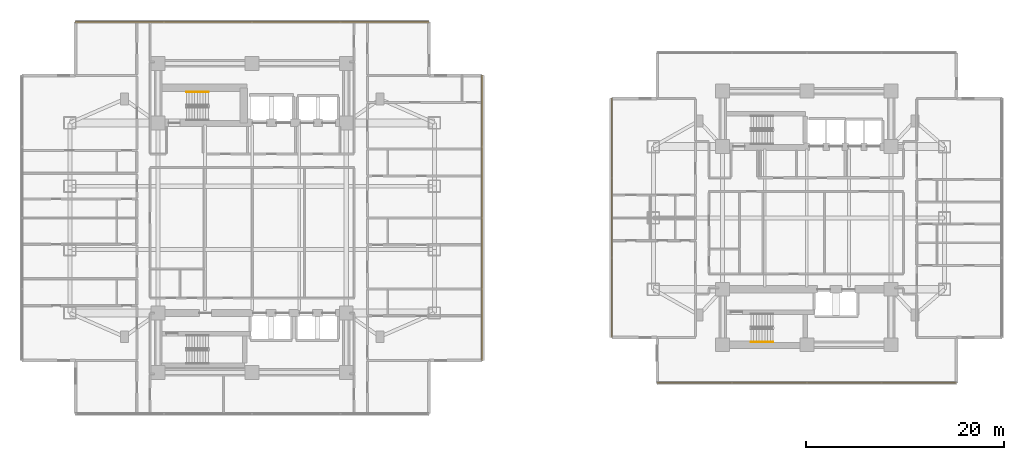
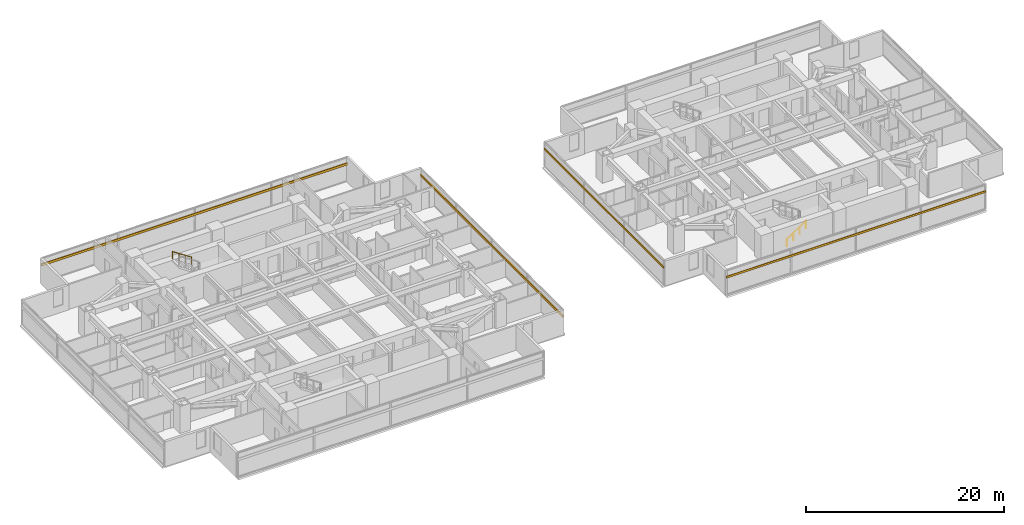
# One storey, part 24 of 26: 4 shading devices, 2 railings.
"""IFC4 building model written with IfcOpenShell, lengths in metres."""

from ifc_helpers import new_model, si_unit, direction, frame, origin, origin_2d, place, context, subcontext, project, spatial, rectangle, circle, extrude, material, material_profile, profile_set, type_object, element, save


model = new_model("IFC4")

# Units and contexts
model_context = context("Model", 3, precision=1e-05, world=origin(), true_north=direction((0.0, 1.0)))
body_context = subcontext(model_context, "Body", "Model", "MODEL_VIEW")
ifc_project = project(units=[si_unit("LENGTHUNIT", "METRE"), si_unit("AREAUNIT", "SQUARE_METRE"), si_unit("VOLUMEUNIT", "CUBIC_METRE"), si_unit("PLANEANGLEUNIT", "RADIAN"), si_unit("MASSUNIT", "GRAM", prefix="KILO")], contexts=[model_context])

# Site, building, storey
site_placement = place(None, origin())
site = spatial("IfcSite", under=ifc_project, at=site_placement, CompositionType="ELEMENT")
building_placement = place(site_placement, origin())
building = spatial("IfcBuilding", under=site, at=building_placement, Name="Mirazonda Arch Towers", CompositionType="ELEMENT")
storey_placement = place(building_placement, frame((0.0, 0.0, 48.800048828125)))
storey = spatial("IfcBuildingStorey", under=building, at=storey_placement, Name="L13", CompositionType="ELEMENT", Elevation=48.800048828125)

# Shading devices
ifc_material_1 = material(Name="Kiln-Fired Architectural Terracotta", Category="masonry")
ifc_material_profile_1 = material_profile(ifc_material_1, rectangle(XDim=0.1201171875, YDim=0.239990234375, at=origin_2d()), Name="TERRA-BAG-120x240")
ifc_profile_set_1 = profile_set([ifc_material_profile_1], Name="Kiln-Fired Architectural Terracotta")
shading_device_type_1 = type_object("IfcShadingDeviceType", Name="BAGUETTE-1", PredefinedType="USERDEFINED", material=ifc_profile_set_1)
shading_device_1_placement = place(storey_placement, frame((91.60400390625, 11.353515625, 2.188720703125), z_axis=(-1.0, 0.0, 0.0), x_axis=(0.0, -1.0, 0.0)))
element("IfcShadingDevice", 1, at=shading_device_1_placement, inside=storey, type_object=shading_device_type_1, Name="L13 Glazed Terracotta Sun-Screen Baguette CW-L13-T2-S", ObjectType="BAGUETTE", PredefinedType="USERDEFINED", context=body_context, shape_type="SweptSolid", body=[
    extrude(rectangle(XDim=0.1201171875, YDim=0.239990234375, at=origin_2d()), origin(), (0.0, 0.0, 1.0), 30.2080078125),
])
shading_device_2_placement = place(storey_placement, frame((56.81591796875, 40.06640625, 2.188720703125), z_axis=(0.0, -1.0, 0.0), x_axis=(1.0, 0.0, 0.0)))
element("IfcShadingDevice", 2, at=shading_device_2_placement, inside=storey, type_object=shading_device_type_1, Name="L13 Glazed Terracotta Sun-Screen Baguette CW-L13-T2-W", ObjectType="BAGUETTE", PredefinedType="USERDEFINED", context=body_context, shape_type="SweptSolid", body=[
    extrude(rectangle(XDim=0.1201171875, YDim=0.239990234375, at=origin_2d()), origin(), (0.0, 0.0, 1.0), 24.1328125),
])
ifc_material_profile_2 = material_profile(ifc_material_1, rectangle(XDim=0.139892578125, YDim=0.280029296875, at=origin_2d()), Name="TERRA-BAG-140x280")
ifc_profile_set_2 = profile_set([ifc_material_profile_2], Name="Kiln-Fired Architectural Terracotta")
shading_device_type_2 = type_object("IfcShadingDeviceType", Name="BAGUETTE-3", PredefinedType="USERDEFINED", material=ifc_profile_set_2)
shading_device_3_placement = place(storey_placement, frame((43.719970703125, 13.615966796875, 2.188720703125), z_axis=(0.0, 1.0, 0.0), x_axis=(-1.0, 0.0, 0.0)))
element("IfcShadingDevice", 3, at=shading_device_3_placement, inside=storey, type_object=shading_device_type_2, Name="L13 Glazed Terracotta Sun-Screen Baguette CW-L13-T1-E", ObjectType="BAGUETTE", PredefinedType="USERDEFINED", context=body_context, shape_type="SweptSolid", body=[
    extrude(rectangle(XDim=0.139892578125, YDim=0.280029296875, at=origin_2d()), origin(), (0.0, 0.0, 1.0), 28.76806640625),
])
shading_device_4_placement = place(storey_placement, frame((2.659912109375, 47.763916015625, 2.188720703125), z_axis=(1.0, 0.0, 0.0), x_axis=(0.0, 1.0, 0.0)))
element("IfcShadingDevice", 4, at=shading_device_4_placement, inside=storey, type_object=shading_device_type_2, Name="L13 Glazed Terracotta Sun-Screen Baguette CW-L13-T1-N", ObjectType="BAGUETTE", PredefinedType="USERDEFINED", context=body_context, shape_type="SweptSolid", body=[
    extrude(rectangle(XDim=0.139892578125, YDim=0.280029296875, at=origin_2d()), origin(), (0.0, 0.0, 1.0), 35.68017578125),
])

# Railings
ifc_material_2 = material(Name="Architectural Brushed Steel S355", Category="steel")
railing_type = type_object("IfcRailingType", Name="HANDRAIL-915", PredefinedType="HANDRAIL", material=ifc_material_2)
railing_1_placement = place(storey_placement, frame((16.090087890625, 40.7099609375, 1.833251953125)))
element("IfcRailing", 5, at=railing_1_placement, inside=storey, type_object=railing_type, Name="L13 ST-T1N stair handrail 2", PredefinedType="HANDRAIL", context=body_context, shape_type="SweptSolid", body=[
    extrude(circle(Radius=0.02392578125, at=origin_2d()), frame((0.0, 0.0, 0.8759765625), z_axis=(-0.836595146698, 0.0, 0.547821650285), x_axis=(0.0, -1.0, 0.0)), (0.0, 0.0, 1.0), 2.677490234375),
    extrude(circle(Radius=0.02099609375, at=origin_2d()), origin(), (0.0, 0.0, 1.0), 0.851806640625),
    extrude(circle(Radius=0.02099609375, at=origin_2d()), frame((-0.74658203125, 0.0, 0.489013671875)), (0.0, 0.0, 1.0), 0.851806640625),
    extrude(circle(Radius=0.02099609375, at=origin_2d()), frame((-1.493408203125, 0.0, 0.977783203125)), (0.0, 0.0, 1.0), 0.851806640625),
    extrude(circle(Radius=0.02099609375, at=origin_2d()), frame((-2.239990234375, 0.0, 1.466796875)), (0.0, 0.0, 1.0), 0.851806640625),
])
railing_2_placement = place(storey_placement, frame((70.85009765625, 15.469970703125, 0.183349609375)))
element("IfcRailing", 6, at=railing_2_placement, inside=storey, type_object=railing_type, Name="L13 ST-T2S stair handrail 1", PredefinedType="HANDRAIL", context=body_context, shape_type="SweptSolid", body=[
    extrude(circle(Radius=0.02392578125, at=origin_2d()), frame((0.0, 0.0, 0.8759765625), z_axis=(0.836636935527, 0.0, 0.547757827979), x_axis=(0.0, 1.0, 0.0)), (0.0, 0.0, 1.0), 2.677490234375),
    extrude(circle(Radius=0.02099609375, at=origin_2d()), origin(), (0.0, 0.0, 1.0), 0.851806640625),
    extrude(circle(Radius=0.02099609375, at=origin_2d()), frame((0.74658203125, 0.0, 0.48876953125)), (0.0, 0.0, 1.0), 0.851806640625),
    extrude(circle(Radius=0.02099609375, at=origin_2d()), frame((1.493408203125, 0.0, 0.977783203125)), (0.0, 0.0, 1.0), 0.851806640625),
    extrude(circle(Radius=0.02099609375, at=origin_2d()), frame((2.239990234375, 0.0, 1.466552734375)), (0.0, 0.0, 1.0), 0.851806640625),
])

save(model, "model.ifc")
